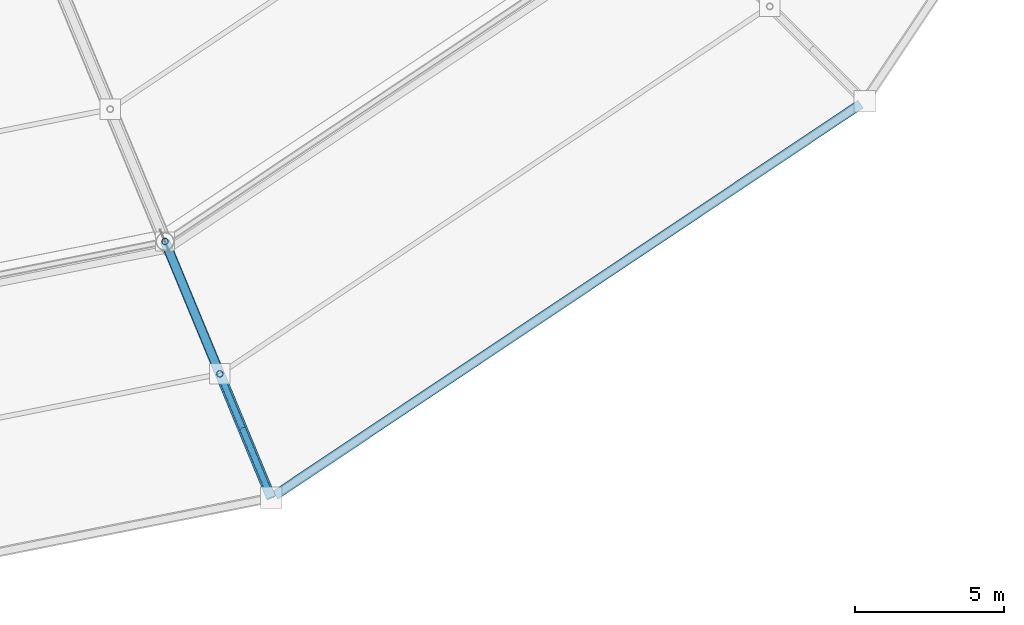
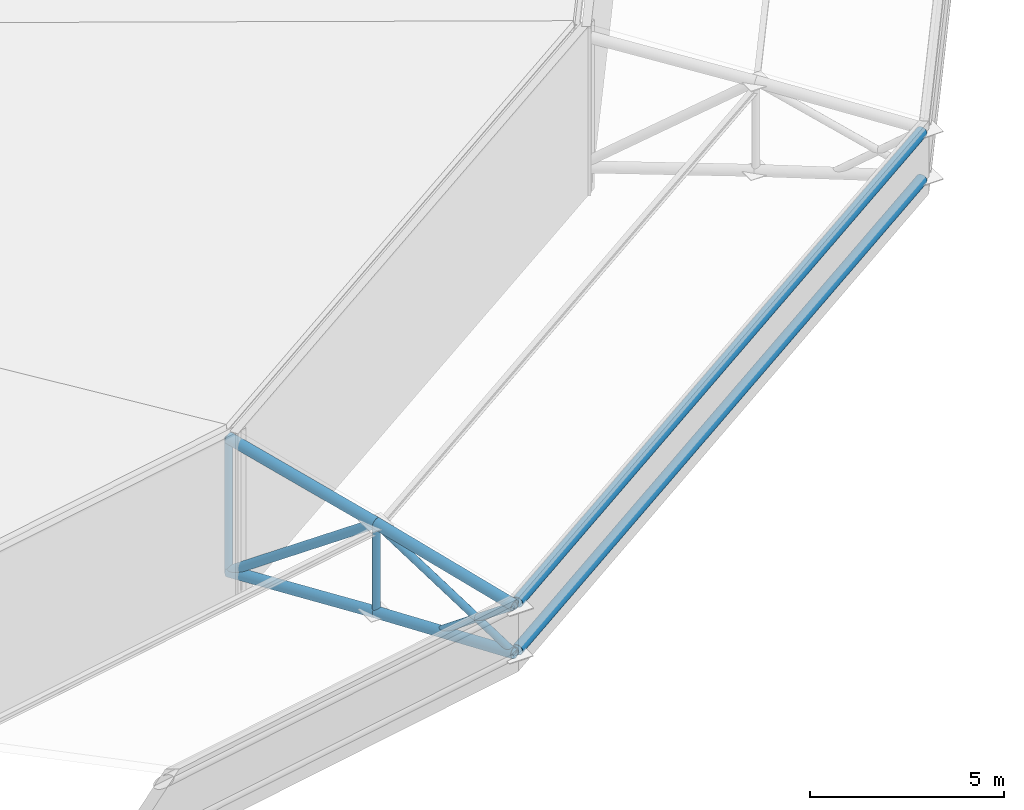
# One storey, part 63 of 146: 11 members.
"""IFC4 building model written with IfcOpenShell, lengths in metres."""

from ifc_helpers import new_model, si_unit, direction, frame, origin, origin_2d, place, context, subcontext, project, spatial, hollow_circle, extrude, material, material_profile, profile_set, type_object, element, save


model = new_model("IFC4")

# Units and contexts
model_context = context("Model", 3, precision=1e-05, world=origin(), true_north=direction((0.0, 1.0)))
body_context = subcontext(model_context, "Body", "Model", "MODEL_VIEW")
ifc_project = project(units=[si_unit("LENGTHUNIT", "METRE"), si_unit("AREAUNIT", "SQUARE_METRE"), si_unit("VOLUMEUNIT", "CUBIC_METRE"), si_unit("PLANEANGLEUNIT", "RADIAN"), si_unit("MASSUNIT", "GRAM", prefix="KILO")], contexts=[model_context])

# Site, building, storey
site_placement = place(None, origin())
site = spatial("IfcSite", under=ifc_project, at=site_placement, CompositionType="ELEMENT")
building_placement = place(site_placement, origin())
building = spatial("IfcBuilding", under=site, at=building_placement, Name="Candeia Ridge Stadium", CompositionType="ELEMENT")
storey_placement = place(building_placement, frame((0.0, 0.0, 31.800048828125)))
storey = spatial("IfcBuildingStorey", under=building, at=storey_placement, Name="RF", CompositionType="ELEMENT", Elevation=31.800048828125)

# Members
ifc_material = material(Name="Steel ASTM A572 Grade 50", Category="steel")
ifc_material_profile_1 = material_profile(ifc_material, hollow_circle(Radius=0.161865234375, WallThickness=0.012451171875, at=origin_2d()), Name="CHS323x12", Category="steel")
ifc_profile_set_1 = profile_set([ifc_material_profile_1], Name="Steel ASTM A572 Grade 50")
member_type_1 = type_object("IfcMemberType", Name="Roof Truss Eaves Chord CHS323x12", PredefinedType="CHORD", material=ifc_profile_set_1)
member_1_placement = place(storey_placement, frame((160.899658203125, 22.958251953125, 4.599853515625), z_axis=(0.379276360613, -0.915748479885, -0.132492127568), x_axis=(0.923893471471, 0.382649779007, 0.0)))
element("IfcMember", 1, at=member_1_placement, inside=storey, type_object=member_type_1, Name="Roof cantilever truss RT-27 top chord 7", PredefinedType="CHORD", context=body_context, shape_type="SweptSolid", body=[
    extrude(hollow_circle(Radius=0.161865234375, WallThickness=0.012451171875, at=origin_2d()), origin(), (0.0, 0.0, 1.0), 4.842529296875),
])
member_2_placement = place(storey_placement, frame((160.899658203125, 22.958251953125, 0.39990234375), z_axis=(0.378038852607, -0.91276056344, 0.154773317298), x_axis=(0.923893471471, 0.382649779007, 0.0)))
element("IfcMember", 2, at=member_2_placement, inside=storey, type_object=member_type_1, Name="Roof cantilever truss RT-27 bottom chord 7", PredefinedType="CHORD", context=body_context, shape_type="SweptSolid", body=[
    extrude(hollow_circle(Radius=0.161865234375, WallThickness=0.012451171875, at=origin_2d()), origin(), (0.0, 0.0, 1.0), 4.8583984375),
])
member_3_placement = place(storey_placement, frame((162.736328125, 18.523681640625, 3.958251953125), z_axis=(0.378438250885, -0.913584487427, -0.148821620067), x_axis=(0.923872679915, 0.382699975578, 0.0)))
element("IfcMember", 3, at=member_3_placement, inside=storey, type_object=member_type_1, Name="Roof cantilever truss RT-27 top chord 8", PredefinedType="CHORD", context=body_context, shape_type="SweptSolid", body=[
    extrude(hollow_circle(Radius=0.161865234375, WallThickness=0.012451171875, at=origin_2d()), origin(), (0.0, 0.0, 1.0), 4.55078125),
])
member_4_placement = place(storey_placement, frame((162.736328125, 18.523681640625, 1.15185546875), z_axis=(0.379013657665, -0.914973571928, 0.138463027474), x_axis=(0.923872679915, 0.382699975578, 0.0)))
element("IfcMember", 4, at=member_4_placement, inside=storey, type_object=member_type_1, Name="Roof cantilever truss RT-27 bottom chord 8", PredefinedType="CHORD", context=body_context, shape_type="SweptSolid", body=[
    extrude(hollow_circle(Radius=0.161865234375, WallThickness=0.012451171875, at=origin_2d()), origin(), (0.0, 0.0, 1.0), 4.543701171875),
])
for number, where, z_axis, x_axis, name in (
    (5, (164.591552734375, 14.455078125, 3.281005859375), (0.831470476236, 0.555568940049, 0.0), (-0.555568940049, 0.831470476236, 0.0), "Saddle roof outer eaves top ring chord bay 27"),
    (6, (164.591552734375, 14.455078125, 1.781005859375), (0.831470476236, 0.555568940049, 0.0), (-0.555568940049, 0.831470476236, 0.0), "Saddle roof outer eaves bottom ring chord bay 27"),
):
    element("IfcMember", number, at=place(storey_placement, frame(where, z_axis=z_axis, x_axis=x_axis)), inside=storey, type_object=member_type_1, Name=name, PredefinedType="CHORD", context=body_context, shape_type="SweptSolid", body=[
        extrude(hollow_circle(Radius=0.161865234375, WallThickness=0.012451171875, at=origin_2d()), origin(), (0.0, 0.0, 1.0), 23.59814453125),
    ])
ifc_material_profile_2 = material_profile(ifc_material, hollow_circle(Radius=0.136474609375, WallThickness=0.010009765625, at=origin_2d()), Name="CHS273x10", Category="steel")
ifc_profile_set_2 = profile_set([ifc_material_profile_2], Name="Steel ASTM A572 Grade 50")
member_type_2 = type_object("IfcMemberType", Name="Roof Truss Heavy Web Brace CHS273x10", PredefinedType="BRACE", material=ifc_profile_set_2)
member_5_placement = place(storey_placement, frame((160.899658203125, 22.958251953125, 0.39990234375), z_axis=(0.307392467594, -0.742187529095, 0.595539706923), x_axis=(0.923893471471, 0.382649779007, 0.0)))
element("IfcMember", 7, at=member_5_placement, inside=storey, type_object=member_type_2, Name="Roof cantilever truss RT-27 diagonal web 7", PredefinedType="BRACE", context=body_context, shape_type="SweptSolid", body=[
    extrude(hollow_circle(Radius=0.136474609375, WallThickness=0.010009765625, at=origin_2d()), origin(), (0.0, 0.0, 1.0), 5.97509765625),
])
ifc_material_profile_3 = material_profile(ifc_material, hollow_circle(Radius=0.109619140625, WallThickness=0.010009765625, at=origin_2d()), Name="CHS219x10", Category="steel")
ifc_profile_set_3 = profile_set([ifc_material_profile_3], Name="Steel ASTM A572 Grade 50")
member_type_3 = type_object("IfcMemberType", Name="Roof Truss Inner Web Brace CHS219x10", PredefinedType="BRACE", material=ifc_profile_set_3)
member_6_placement = place(storey_placement, frame((162.736328125, 18.523681640625, 3.958251953125), z_axis=(0.344496809804, -0.831646749952, -0.435529139472), x_axis=(0.923872679915, 0.382699975578, 0.0)))
element("IfcMember", 8, at=member_6_placement, inside=storey, type_object=member_type_3, Name="Roof cantilever truss RT-27 diagonal web 8", PredefinedType="BRACE", context=body_context, shape_type="SweptSolid", body=[
    extrude(hollow_circle(Radius=0.109619140625, WallThickness=0.010009765625, at=origin_2d()), origin(), (0.0, 0.0, 1.0), 4.9990234375),
])
member_7_placement = place(storey_placement, frame((160.899658203125, 22.958251953125, 0.39990234375), z_axis=(0.0, 0.0, 1.0), x_axis=(1.0, 0.0, 0.0)))
element("IfcMember", 9, at=member_7_placement, inside=storey, type_object=member_type_3, Name="Roof cantilever truss RT-27 vertical post 6", PredefinedType="BRACE", context=body_context, shape_type="SweptSolid", body=[
    extrude(hollow_circle(Radius=0.109619140625, WallThickness=0.010009765625, at=origin_2d()), origin(), (0.0, 0.0, 1.0), 4.199951171875),
])
member_8_placement = place(storey_placement, frame((162.736328125, 18.523681640625, 1.15185546875), z_axis=(0.0, 0.0, 1.0), x_axis=(1.0, 0.0, 0.0)))
element("IfcMember", 10, at=member_8_placement, inside=storey, type_object=member_type_3, Name="Roof cantilever truss RT-27 vertical post 7", PredefinedType="BRACE", context=body_context, shape_type="SweptSolid", body=[
    extrude(hollow_circle(Radius=0.109619140625, WallThickness=0.010009765625, at=origin_2d()), origin(), (0.0, 0.0, 1.0), 2.806396484375),
])
member_9_placement = place(storey_placement, frame((163.511474609375, 16.65283203125, 1.43505859375), z_axis=(0.306721963062, -0.740592396504, 0.597866657054), x_axis=(0.923897814256, 0.382639293348, 0.0)))
element("IfcMember", 11, at=member_9_placement, inside=storey, type_object=member_type_3, Name="Roof cantilever truss RT-27 vertical post 8", PredefinedType="BRACE", context=body_context, shape_type="SweptSolid", body=[
    extrude(hollow_circle(Radius=0.109619140625, WallThickness=0.010009765625, at=origin_2d()), origin(), (0.0, 0.0, 1.0), 3.087646484375),
])

save(model, "model.ifc")
